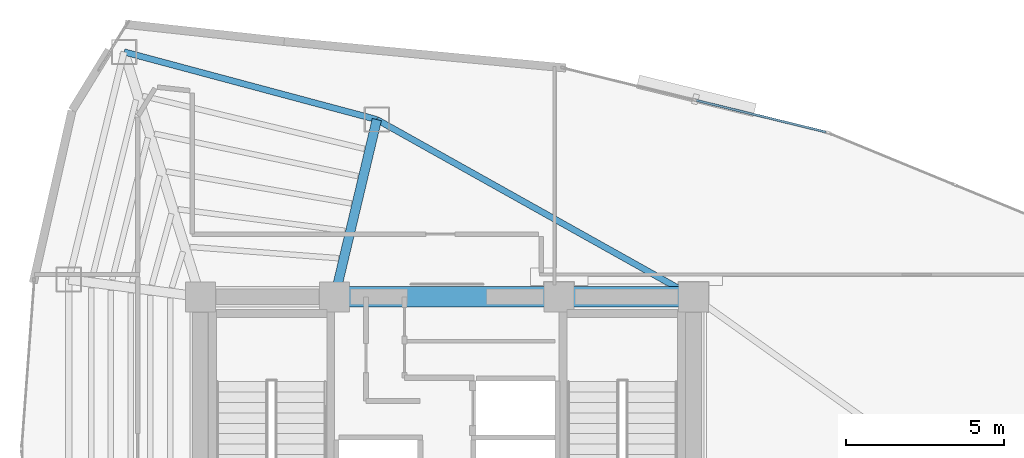
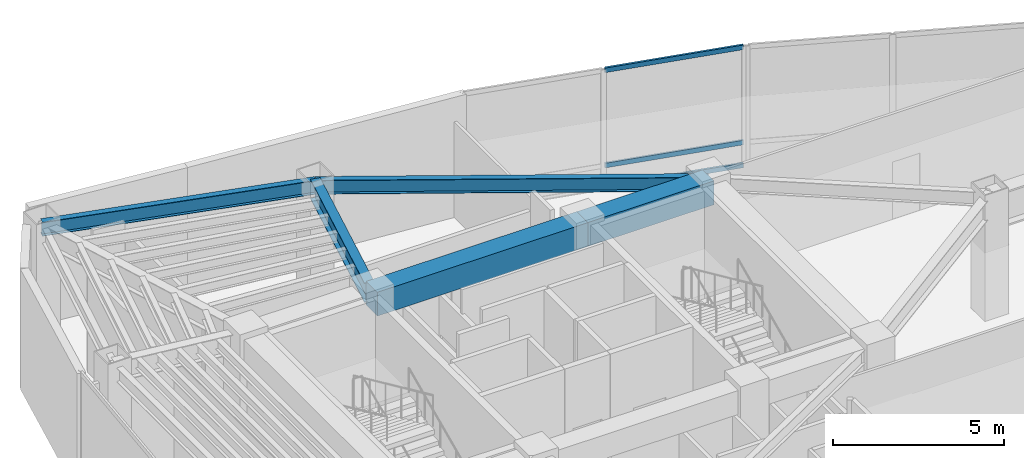
# One storey, part 9 of 17: 5 beams, 3 members, 1 element without a shape of its own.
"""IFC4 building model written with IfcOpenShell, lengths in metres."""

from ifc_helpers import new_model, si_unit, direction, frame, origin, origin_2d, place, context, subcontext, project, spatial, rectangle, hollow_rectangle, i_section, extrude, material, layer, layer_set, material_profile, profile_set, type_object, element, aggregate, save


model = new_model("IFC4")

# Units and contexts
model_context = context("Model", 3, precision=1e-05, world=origin(), true_north=direction((0.0, 1.0)))
body_context = subcontext(model_context, "Body", "Model", "MODEL_VIEW")
ifc_project = project(units=[si_unit("LENGTHUNIT", "METRE"), si_unit("AREAUNIT", "SQUARE_METRE"), si_unit("VOLUMEUNIT", "CUBIC_METRE"), si_unit("PLANEANGLEUNIT", "RADIAN"), si_unit("MASSUNIT", "GRAM", prefix="KILO")], contexts=[model_context])

# Site, building, storey
site_placement = place(None, origin())
site = spatial("IfcSite", under=ifc_project, at=site_placement, CompositionType="ELEMENT")
building_placement = place(site_placement, origin())
building = spatial("IfcBuilding", under=site, at=building_placement, Name="Menara Vayukalpa", CompositionType="ELEMENT")
storey_placement = place(building_placement, frame((0.0, 0.0, 242.639892578125)))
storey = spatial("IfcBuildingStorey", under=building, at=storey_placement, Name="L61", CompositionType="ELEMENT", Elevation=242.639892578125)

# Beams
ifc_material_1 = material(Name="Concrete C60/75", Category="concrete")
ifc_material_profile_1 = material_profile(ifc_material_1, rectangle(XDim=0.64990234375, YDim=0.85009765625, at=origin_2d()), Name="RC 650x850")
ifc_profile_set_1 = profile_set([ifc_material_profile_1], Name="Concrete C60/75")
beam_type_1 = type_object("IfcBeamType", Name="BM-CB1", PredefinedType="BEAM", material=ifc_profile_set_1)
beam_1_placement = place(storey_placement, frame((22.050048828125, 26.800048828125, 3.855224609375), z_axis=(1.0, 0.0, 0.0), x_axis=(0.0, 1.0, 0.0)))
element("IfcBeam", 1, at=beam_1_placement, inside=storey, type_object=beam_type_1, Name="L61 Core Tie Beam CBR5", PredefinedType="BEAM", context=body_context, shape_type="SweptSolid", body=[
    extrude(rectangle(XDim=0.64990234375, YDim=0.85009765625, at=origin_2d()), origin(), (0.0, 0.0, 1.0), 7.099853515625),
])
beam_2_placement = place(storey_placement, frame((29.14990234375, 26.800048828125, 3.855224609375), z_axis=(1.0, 0.0, 0.0), x_axis=(0.0, 1.0, 0.0)))
element("IfcBeam", 2, at=beam_2_placement, inside=storey, type_object=beam_type_1, Name="L61 Core Tie Beam CBR6", PredefinedType="BEAM", context=body_context, shape_type="SweptSolid", body=[
    extrude(rectangle(XDim=0.64990234375, YDim=0.85009765625, at=origin_2d()), origin(), (0.0, 0.0, 1.0), 4.25),
])
ifc_material_2 = material(Name="Steel S355", Category="steel")
ifc_material_profile_2 = material_profile(ifc_material_2, i_section(OverallWidth=0.300048828125, OverallDepth=0.699951171875, WebThickness=0.012939453125, FlangeThickness=0.02392578125, at=origin_2d()), Name="WF 700x300x13x24")
ifc_profile_set_2 = profile_set([ifc_material_profile_2], Name="Steel S355")
beam_type_2 = type_object("IfcBeamType", Name="BM-PG5", PredefinedType="BEAM", material=ifc_profile_set_2)
beam_3_placement = place(storey_placement, frame((22.10791015625, 27.043212890625, 3.93017578125), z_axis=(0.231167310854, 0.972914011818, 0.0), x_axis=(-0.972914011818, 0.231167310854, 0.0)))
element("IfcBeam", 3, at=beam_3_placement, inside=storey, type_object=beam_type_2, Name="L61 Primary Radial Girder RG03", PredefinedType="BEAM", context=body_context, shape_type="SweptSolid", body=[
    extrude(i_section(OverallWidth=0.300048828125, OverallDepth=0.699951171875, WebThickness=0.012939453125, FlangeThickness=0.02392578125, at=origin_2d()), origin(), (0.0, 0.0, 1.0), 5.5107421875),
])
ifc_material_3 = material(Name="Steel S355", Category="steel")
ifc_material_profile_3 = material_profile(ifc_material_3, i_section(OverallWidth=0.199951171875, OverallDepth=0.5, WebThickness=0.010009765625, FlangeThickness=0.01611328125, at=origin_2d()), Name="WF 500x200x10x16")
ifc_profile_set_3 = profile_set([ifc_material_profile_3], Name="Steel S355")
beam_type_3 = type_object("IfcBeamType", Name="BM-SP3", PredefinedType="SPANDREL", material=ifc_profile_set_3)
beam_4_placement = place(storey_placement, frame((33.39990234375, 26.800048828125, 4.030029296875), z_axis=(-0.87270577288, 0.48824648896, 0.0), x_axis=(-0.48824648896, -0.87270577288, 0.0)))
element("IfcBeam", 4, at=beam_4_placement, inside=storey, type_object=beam_type_3, Name="L61 Perimeter Spandrel Beam SP02", PredefinedType="SPANDREL", context=body_context, shape_type="SweptSolid", body=[
    extrude(i_section(OverallWidth=0.199951171875, OverallDepth=0.5, WebThickness=0.010009765625, FlangeThickness=0.01611328125, at=origin_2d()), origin(), (0.0, 0.0, 1.0), 11.479248046875),
])
beam_5_placement = place(storey_placement, frame((23.3818359375, 32.40478515625, 4.030029296875), z_axis=(-0.965978332552, 0.258623009494, 0.0), x_axis=(-0.258623009494, -0.965978332552, 0.0)))
element("IfcBeam", 5, at=beam_5_placement, inside=storey, type_object=beam_type_3, Name="L61 Perimeter Spandrel Beam SP03", PredefinedType="SPANDREL", context=body_context, shape_type="SweptSolid", body=[
    extrude(i_section(OverallWidth=0.199951171875, OverallDepth=0.5, WebThickness=0.010009765625, FlangeThickness=0.01611328125, at=origin_2d()), origin(), (0.0, 0.0, 1.0), 8.274169921875),
])

# Curtain wall, members
ifc_material_4 = material(Name="Anodised Terracotta Aluminium Alloy 6063-T6", Category="masonry")
ifc_layer = layer(ifc_material_4, 0.179931640625)
ifc_layer_set = layer_set([ifc_layer], Name="Anodised Terracotta Aluminium Alloy 6063-T6")
curtain_wall_type = type_object("IfcCurtainWallType", Name="CW-CW4", PredefinedType="USERDEFINED", material=ifc_layer_set)
curtain_wall_placement = place(storey_placement, origin())
curtain_wall = element("IfcCurtainWall", 6, at=curtain_wall_placement, inside=storey, type_object=curtain_wall_type, Name="L61 Sky Bar Cantilever Glazed Curtain Wall CW4 05", ObjectType="UNITISED", PredefinedType="USERDEFINED")
ifc_material_5 = material(Name="Anodised Terracotta Aluminium Alloy 6063-T6", Category="masonry")
ifc_material_profile_4 = material_profile(ifc_material_5, hollow_rectangle(XDim=0.070068359375, YDim=0.1650390625, WallThickness=0.00390625, at=origin_2d()), Name="ALU 70x165x4")
ifc_profile_set_4 = profile_set([ifc_material_profile_4], Name="Anodised Terracotta Aluminium Alloy 6063-T6")
member_type = type_object("IfcMemberType", Name="CWT-CW4", PredefinedType="USERDEFINED", material=ifc_profile_set_4)
member_1_placement = place(storey_placement, frame((37.583251953125, 32.009765625, 0.03515625), z_axis=(-0.971313425115, 0.237802923009, 0.0), x_axis=(-0.237802923009, -0.971313425115, 0.0)))
member_1 = element("IfcMember", 7, at=member_1_placement, type_object=member_type, Name="CW4 transom 1.1", ObjectType="TRANSOM", PredefinedType="USERDEFINED", context=body_context, shape_type="SweptSolid", body=[
    extrude(hollow_rectangle(XDim=0.070068359375, YDim=0.1650390625, WallThickness=0.00390625, at=origin_2d()), origin(), (0.0, 0.0, 1.0), 4.21435546875),
])
member_2_placement = place(storey_placement, frame((37.583251953125, 32.009765625, 0.85009765625), z_axis=(-0.971313425115, 0.237802923009, 0.0), x_axis=(-0.237802923009, -0.971313425115, 0.0)))
member_2 = element("IfcMember", 8, at=member_2_placement, type_object=member_type, Name="CW4 transom 1.2", ObjectType="TRANSOM", PredefinedType="USERDEFINED", context=body_context, shape_type="SweptSolid", body=[
    extrude(hollow_rectangle(XDim=0.070068359375, YDim=0.1650390625, WallThickness=0.00390625, at=origin_2d()), origin(), (0.0, 0.0, 1.0), 4.21435546875),
])
member_3_placement = place(storey_placement, frame((37.583251953125, 32.009765625, 4.2451171875), z_axis=(-0.971313425115, 0.237802923009, 0.0), x_axis=(-0.237802923009, -0.971313425115, 0.0)))
member_3 = element("IfcMember", 9, at=member_3_placement, type_object=member_type, Name="CW4 transom 1.3", ObjectType="TRANSOM", PredefinedType="USERDEFINED", context=body_context, shape_type="SweptSolid", body=[
    extrude(hollow_rectangle(XDim=0.070068359375, YDim=0.1650390625, WallThickness=0.00390625, at=origin_2d()), origin(), (0.0, 0.0, 1.0), 4.21435546875),
])
aggregate(curtain_wall, [member_1, member_2, member_3])

save(model, "model.ifc")
